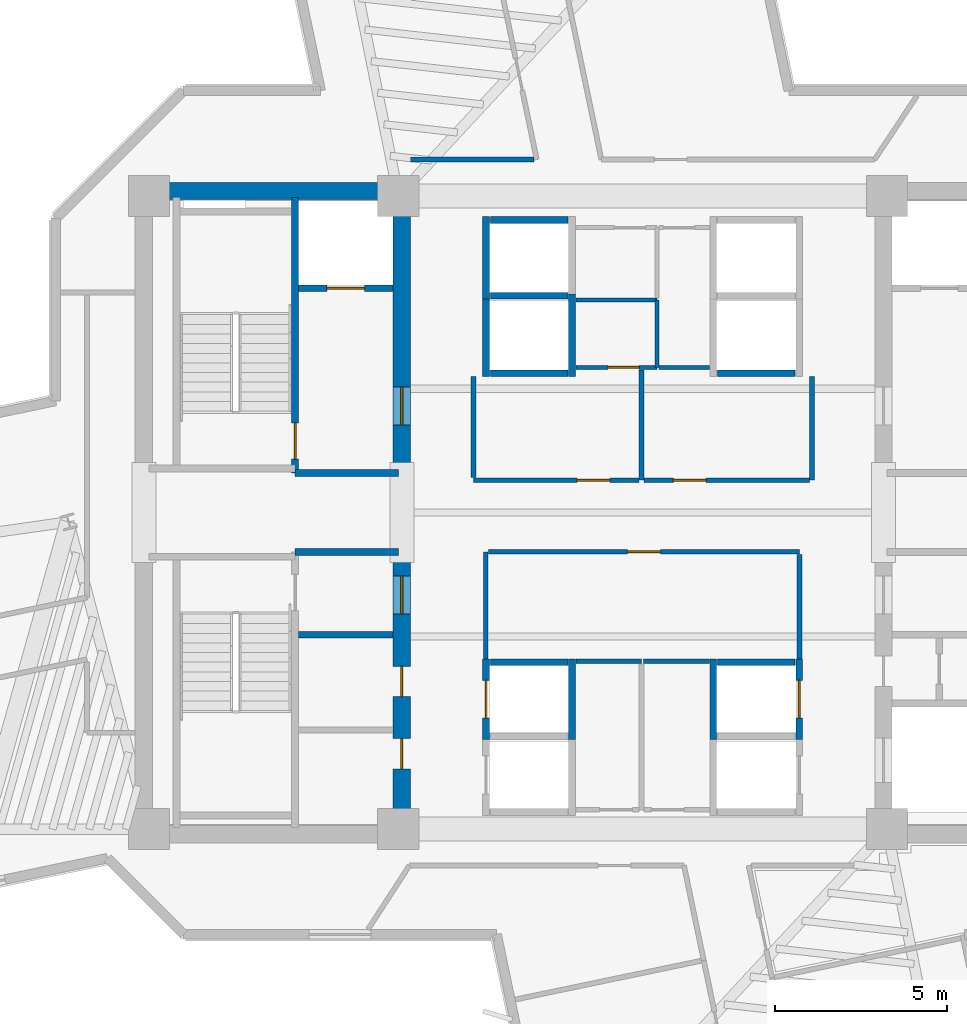
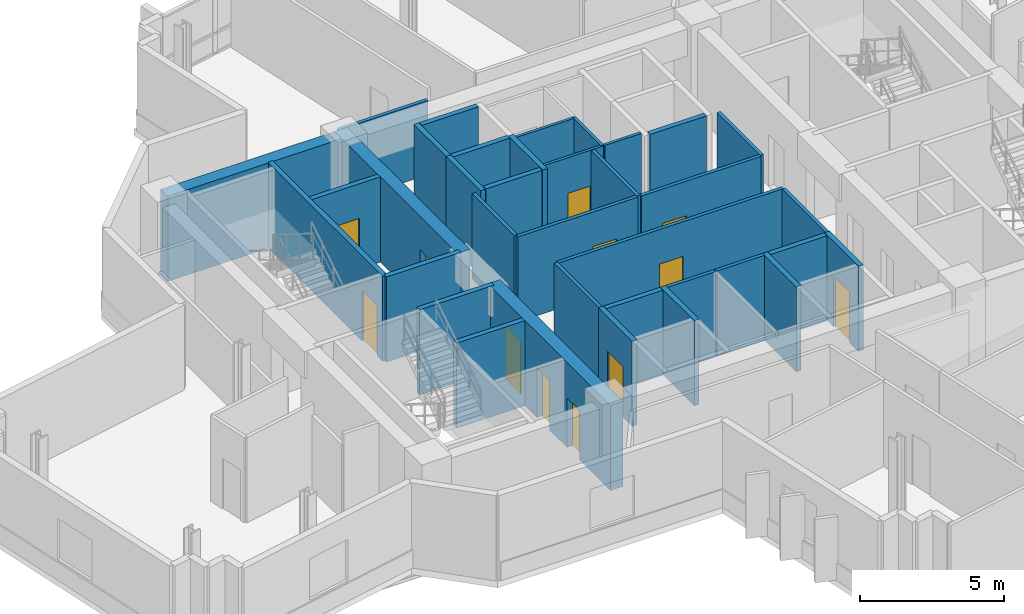
# One storey, part 8 of 14: 36 walls, 12 doors, 12 openings.
"""IFC4 building model written with IfcOpenShell, lengths in metres."""

from ifc_helpers import new_model, si_unit, direction, frame, frame_2d, origin, place, context, subcontext, project, spatial, rectangle, extrude, source, transform, mapped, material, layer, layer_set, type_object, element, fill, save


model = new_model("IFC4")

# Units and contexts
model_context = context("Model", 3, precision=1e-05, world=origin(), true_north=direction((0.0, 1.0)))
body_context = subcontext(model_context, "Body", "Model", "MODEL_VIEW")
ifc_project = project(units=[si_unit("LENGTHUNIT", "METRE"), si_unit("AREAUNIT", "SQUARE_METRE"), si_unit("VOLUMEUNIT", "CUBIC_METRE"), si_unit("PLANEANGLEUNIT", "RADIAN"), si_unit("MASSUNIT", "GRAM", prefix="KILO")], contexts=[model_context])

# Site, building, storey
site_placement = place(None, origin())
site = spatial("IfcSite", under=ifc_project, at=site_placement, CompositionType="ELEMENT")
building_placement = place(site_placement, origin())
building = spatial("IfcBuilding", under=site, at=building_placement, Name="Zahravan Cultural Tower", CompositionType="ELEMENT")
storey_placement = place(building_placement, frame((0.0, 0.0, 166.800048828125)))
storey = spatial("IfcBuildingStorey", under=building, at=storey_placement, Name="L38", CompositionType="ELEMENT", Elevation=166.800048828125)

# Wall, openings, doors
ifc_material_1 = material(Name="Concrete C60/75", Category="concrete")
ifc_layer_1 = layer(ifc_material_1, 0.5)
ifc_layer_set_1 = layer_set([ifc_layer_1], Name="Concrete C60/75")
wall_type_1 = type_object("IfcWallType", Name="CW-SHEAR-500-C60", PredefinedType="SHEAR", material=ifc_layer_set_1)
wall_1_placement = place(storey_placement, frame((29.0, 17.39990234375, 0.0), z_axis=(0.0, 0.0, 1.0), x_axis=(0.0, 1.0, 0.0)))
wall_1 = element("IfcWall", 1, at=wall_1_placement, inside=storey, type_object=wall_type_1, Name="L38 Core Shear Wall CW-W-ES-L38", PredefinedType="SHEAR", context=body_context, shape_type="SweptSolid", body=[
    extrude(rectangle(XDim=8.550048828125, YDim=0.5, at=frame_2d((4.27490234375, 0.0))), origin(), (0.0, 0.0, 1.0), 3.619873046875),
])
opening_1_placement = place(wall_1_placement, frame((6.64990234375, 0.0, 0.0)))
opening_1 = element("IfcOpeningElement", 2, at=opening_1_placement, cuts=wall_1, Name="Opening D-L38-07", PredefinedType="OPENING", context=body_context, shape_type="SweptSolid", body=[
    extrude(rectangle(XDim=1.10009765625, YDim=2.199951171875, at=frame_2d((0.550048828125, 1.10009765625))), frame((0.0, 0.260009765625, 0.0), z_axis=(0.0, -1.0, 0.0), x_axis=(1.0, 0.0, 0.0)), (0.0, 0.0, 1.0), 0.52001953125),
])
opening_2_placement = place(wall_1_placement, frame((2.14990234375, 0.0, 0.0)))
opening_2 = element("IfcOpeningElement", 3, at=opening_2_placement, cuts=wall_1, Name="Opening D-L38-09", PredefinedType="OPENING", context=body_context, shape_type="SweptSolid", body=[
    extrude(rectangle(XDim=0.8798828125, YDim=2.10009765625, at=frame_2d((0.43994140625, 1.050048828125))), frame((0.0, 0.260009765625, 0.0), z_axis=(0.0, -1.0, 0.0), x_axis=(1.0, 0.0, 0.0)), (0.0, 0.0, 1.0), 0.52001953125),
])
opening_3_placement = place(wall_1_placement, frame((4.25, 0.0, 0.0)))
opening_3 = element("IfcOpeningElement", 4, at=opening_3_placement, cuts=wall_1, Name="Opening D-L38-10", PredefinedType="OPENING", context=body_context, shape_type="SweptSolid", body=[
    extrude(rectangle(XDim=0.8798828125, YDim=2.10009765625, at=frame_2d((0.43994140625, 1.050048828125))), frame((0.0, 0.260009765625, 0.0), z_axis=(0.0, -1.0, 0.0), x_axis=(1.0, 0.0, 0.0)), (0.0, 0.0, 1.0), 0.52001953125),
])
ifc_material_2 = material(Name="Steel ASTM A572 Grade 50", Category="steel")
door_type_1 = type_object("IfcDoorType", Name="DR-LOBBY-1100", OperationType="NOTDEFINED", PredefinedType="DOOR", material=ifc_material_2)
shared_shape_1 = source(origin(), body_context, "Body", "SweptSolid", [
    extrude(rectangle(XDim=1.10009765625, YDim=2.199951171875, at=frame_2d((0.550048828125, 1.10009765625))), frame((0.0, 0.02490234375, 0.0), z_axis=(0.0, -1.0, 0.0), x_axis=(1.0, 0.0, 0.0)), (0.0, 0.0, 1.0), 0.050048828125),
])
door_1_placement = place(opening_1_placement, origin())
door_1 = element("IfcDoor", 5, at=door_1_placement, inside=storey, type_object=door_type_1, Name="L38 Door D-L38-07", OperationType="SINGLE_SWING_RIGHT", OverallHeight=2.199951171875, OverallWidth=1.10009765625, PredefinedType="DOOR", context=body_context, shape_type="MappedRepresentation", body=[
    mapped(shared_shape_1, transform((0.0, 0.0, 0.0), x_axis=(1.0, 0.0, 0.0), y_axis=(0.0, 1.0, 0.0), z_axis=(0.0, 0.0, 1.0), scale=1.0)),
])
fill(opening_1, door_1)
door_type_2 = type_object("IfcDoorType", Name="DR-SVC-880", OperationType="NOTDEFINED", PredefinedType="DOOR", material=ifc_material_2)
shared_shape_2 = source(origin(), body_context, "Body", "SweptSolid", [
    extrude(rectangle(XDim=0.8798828125, YDim=2.10009765625, at=frame_2d((0.43994140625, 1.050048828125))), frame((0.0, 0.02490234375, 0.0), z_axis=(0.0, -1.0, 0.0), x_axis=(1.0, 0.0, 0.0)), (0.0, 0.0, 1.0), 0.050048828125),
])
door_2_placement = place(opening_2_placement, origin())
door_2 = element("IfcDoor", 6, at=door_2_placement, inside=storey, type_object=door_type_2, Name="L38 Door D-L38-09", OperationType="SINGLE_SWING_RIGHT", OverallHeight=2.10009765625, OverallWidth=0.8798828125, PredefinedType="DOOR", context=body_context, shape_type="MappedRepresentation", body=[
    mapped(shared_shape_2, transform((0.0, 0.0, 0.0), x_axis=(1.0, 0.0, 0.0), y_axis=(0.0, 1.0, 0.0), z_axis=(0.0, 0.0, 1.0), scale=1.0)),
])
fill(opening_2, door_2)
door_3_placement = place(opening_3_placement, origin())
door_3 = element("IfcDoor", 7, at=door_3_placement, inside=storey, type_object=door_type_2, Name="L38 Door D-L38-10", OperationType="SINGLE_SWING_LEFT", OverallHeight=2.10009765625, OverallWidth=0.8798828125, PredefinedType="DOOR", context=body_context, shape_type="MappedRepresentation", body=[
    mapped(shared_shape_2, transform((0.0, 0.0, 0.0), x_axis=(1.0, 0.0, 0.0), y_axis=(0.0, 1.0, 0.0), z_axis=(0.0, 0.0, 1.0), scale=1.0)),
])
fill(opening_3, door_3)

# Wall, opening, door
wall_2_placement = place(storey_placement, frame((29.0, 28.050048828125, 0.0), z_axis=(0.0, 0.0, 1.0), x_axis=(0.0, 1.0, 0.0)))
wall_2 = element("IfcWall", 8, at=wall_2_placement, inside=storey, type_object=wall_type_1, Name="L38 Core Shear Wall CW-W-EN-L38", PredefinedType="SHEAR", context=body_context, shape_type="SweptSolid", body=[
    extrude(rectangle(XDim=8.550048828125, YDim=0.5, at=frame_2d((4.27490234375, 0.0))), origin(), (0.0, 0.0, 1.0), 3.619873046875),
])
opening_4_placement = place(wall_2_placement, frame((1.5, 0.0, 0.0)))
opening_4 = element("IfcOpeningElement", 9, at=opening_4_placement, cuts=wall_2, Name="Opening D-L38-05", PredefinedType="OPENING", context=body_context, shape_type="SweptSolid", body=[
    extrude(rectangle(XDim=1.10009765625, YDim=2.199951171875, at=frame_2d((0.550048828125, 1.10009765625))), frame((0.0, 0.260009765625, 0.0), z_axis=(0.0, -1.0, 0.0), x_axis=(1.0, 0.0, 0.0)), (0.0, 0.0, 1.0), 0.52001953125),
])
door_4_placement = place(opening_4_placement, origin())
door_4 = element("IfcDoor", 10, at=door_4_placement, inside=storey, type_object=door_type_1, Name="L38 Door D-L38-05", OperationType="SINGLE_SWING_RIGHT", OverallHeight=2.199951171875, OverallWidth=1.10009765625, PredefinedType="DOOR", context=body_context, shape_type="MappedRepresentation", body=[
    mapped(shared_shape_1, transform((0.0, 0.0, 0.0), x_axis=(1.0, 0.0, 0.0), y_axis=(0.0, 1.0, 0.0), z_axis=(0.0, 0.0, 1.0), scale=1.0)),
])
fill(opening_4, door_4)

ifc_material_3 = material(Name="Gypsum plasterboard partition")
ifc_layer_2 = layer(ifc_material_3, 0.139892578125)
ifc_layer_set_2 = layer_set([ifc_layer_2], Name="Gypsum plasterboard partition")
wall_type_2 = type_object("IfcWallType", Name="W-PART-140", PredefinedType="PARTITIONING", material=ifc_layer_set_2)
wall_3_placement = place(storey_placement, frame((35.89501953125, 27.93994140625, 0.0), z_axis=(0.0, 0.0, 1.0), x_axis=(-1.0, 0.0, 0.0)))
wall_3 = element("IfcWall", 11, at=wall_3_placement, inside=storey, type_object=wall_type_2, Name="L38 Interior Wall 069", PredefinedType="PARTITIONING", context=body_context, shape_type="SweptSolid", body=[
    extrude(rectangle(XDim=4.81494140625, YDim=0.139892578125, at=frame_2d((2.407470703125, 0.0))), origin(), (0.0, 0.0, 1.0), 3.619873046875),
])
opening_5_placement = place(wall_3_placement, frame((0.850341796875, 0.0, 0.0)))
opening_5 = element("IfcOpeningElement", 12, at=opening_5_placement, cuts=wall_3, Name="Opening D-L38-16", PredefinedType="OPENING", context=body_context, shape_type="SweptSolid", body=[
    extrude(rectangle(XDim=0.949951171875, YDim=2.14990234375, at=frame_2d((0.47509765625, 1.074951171875))), frame((0.0, 0.079833984375, 0.0), z_axis=(0.0, -1.0, 0.0), x_axis=(1.0, 0.0, 0.0)), (0.0, 0.0, 1.0), 0.159912109375),
])
ifc_material_4 = material(Name="Anodised bronze-aluminium mullion", Category="aluminium")
door_type_3 = type_object("IfcDoorType", Name="DR-ROOM-950", OperationType="NOTDEFINED", PredefinedType="DOOR", material=ifc_material_4)
shared_shape_3 = source(origin(), body_context, "Body", "SweptSolid", [
    extrude(rectangle(XDim=0.949951171875, YDim=2.14990234375, at=frame_2d((0.47509765625, 1.074951171875))), frame((0.0, 0.02490234375, 0.0), z_axis=(0.0, -1.0, 0.0), x_axis=(1.0, 0.0, 0.0)), (0.0, 0.0, 1.0), 0.050048828125),
])
door_5_placement = place(opening_5_placement, origin())
door_5 = element("IfcDoor", 13, at=door_5_placement, inside=storey, type_object=door_type_3, Name="L38 Door D-L38-16", OperationType="SINGLE_SWING_LEFT", OverallHeight=2.14990234375, OverallWidth=0.949951171875, PredefinedType="DOOR", context=body_context, shape_type="MappedRepresentation", body=[
    mapped(shared_shape_3, transform((0.0, 0.0, 0.0), x_axis=(1.0, 0.0, 0.0), y_axis=(0.0, 1.0, 0.0), z_axis=(0.0, 0.0, 1.0), scale=1.0)),
])
fill(opening_5, door_5)

wall_4_placement = place(storey_placement, frame((40.844970703125, 27.93994140625, 0.0), z_axis=(0.0, 0.0, 1.0), x_axis=(-1.0, 0.0, 0.0)))
wall_4 = element("IfcWall", 14, at=wall_4_placement, inside=storey, type_object=wall_type_2, Name="L38 Interior Wall 072", PredefinedType="PARTITIONING", context=body_context, shape_type="SweptSolid", body=[
    extrude(rectangle(XDim=4.800048828125, YDim=0.139892578125, at=frame_2d((2.39990234375, 0.0))), origin(), (0.0, 0.0, 1.0), 3.619873046875),
])
opening_6_placement = place(wall_4_placement, frame((3.0029296875, 0.0, 0.0)))
opening_6 = element("IfcOpeningElement", 15, at=opening_6_placement, cuts=wall_4, Name="Opening D-L38-17", PredefinedType="OPENING", context=body_context, shape_type="SweptSolid", body=[
    extrude(rectangle(XDim=0.949951171875, YDim=2.14990234375, at=frame_2d((0.47509765625, 1.074951171875))), frame((0.0, 0.079833984375, 0.0), z_axis=(0.0, -1.0, 0.0), x_axis=(1.0, 0.0, 0.0)), (0.0, 0.0, 1.0), 0.159912109375),
])
door_6_placement = place(opening_6_placement, origin())
door_6 = element("IfcDoor", 16, at=door_6_placement, inside=storey, type_object=door_type_3, Name="L38 Door D-L38-17", OperationType="SINGLE_SWING_RIGHT", OverallHeight=2.14990234375, OverallWidth=0.949951171875, PredefinedType="DOOR", context=body_context, shape_type="MappedRepresentation", body=[
    mapped(shared_shape_3, transform((0.0, 0.0, 0.0), x_axis=(1.0, 0.0, 0.0), y_axis=(0.0, 1.0, 0.0), z_axis=(0.0, 0.0, 1.0), scale=1.0)),
])
fill(opening_6, door_6)

wall_5_placement = place(storey_placement, frame((31.514892578125, 25.860107421875, 0.0), z_axis=(0.0, 0.0, 1.0), x_axis=(1.0, 0.0, 0.0)))
wall_5 = element("IfcWall", 17, at=wall_5_placement, inside=storey, type_object=wall_type_2, Name="L38 Interior Wall 078", PredefinedType="PARTITIONING", context=body_context, shape_type="SweptSolid", body=[
    extrude(rectangle(XDim=9.045166015625, YDim=0.139892578125, at=frame_2d((4.5224609375, 0.0))), origin(), (0.0, 0.0, 1.0), 3.619873046875),
])
opening_7_placement = place(wall_5_placement, frame((4.047607421875, 0.0, 0.0)))
opening_7 = element("IfcOpeningElement", 18, at=opening_7_placement, cuts=wall_5, Name="Opening D-L38-13", PredefinedType="OPENING", context=body_context, shape_type="SweptSolid", body=[
    extrude(rectangle(XDim=0.949951171875, YDim=2.14990234375, at=frame_2d((0.47509765625, 1.074951171875))), frame((0.0, 0.079833984375, 0.0), z_axis=(0.0, -1.0, 0.0), x_axis=(1.0, 0.0, 0.0)), (0.0, 0.0, 1.0), 0.159912109375),
])
door_7_placement = place(opening_7_placement, origin())
door_7 = element("IfcDoor", 19, at=door_7_placement, inside=storey, type_object=door_type_3, Name="L38 Door D-L38-13", OperationType="SINGLE_SWING_RIGHT", OverallHeight=2.14990234375, OverallWidth=0.949951171875, PredefinedType="DOOR", context=body_context, shape_type="MappedRepresentation", body=[
    mapped(shared_shape_3, transform((0.0, 0.0, 0.0), x_axis=(1.0, 0.0, 0.0), y_axis=(0.0, 1.0, 0.0), z_axis=(0.0, 0.0, 1.0), scale=1.0)),
])
fill(opening_7, door_7)

ifc_material_5 = material(Name="Concrete C45/55", Category="concrete")
ifc_layer_3 = layer(ifc_material_5, 0.199951171875)
ifc_layer_set_3 = layer_set([ifc_layer_3], Name="Concrete C45/55")
wall_type_3 = type_object("IfcWallType", Name="W-SHAFT-200", PredefinedType="SOLIDWALL", material=ifc_layer_set_3)
wall_6_placement = place(storey_placement, frame((25.89990234375, 28.14990234375, 0.0), z_axis=(0.0, 0.0, 1.0), x_axis=(0.0, 1.0, 0.0)))
wall_6 = element("IfcWall", 20, at=wall_6_placement, inside=storey, type_object=wall_type_3, Name="L38 Interior Wall 006", PredefinedType="SOLIDWALL", context=body_context, shape_type="SweptSolid", body=[
    extrude(rectangle(XDim=8.0, YDim=0.199951171875, at=frame_2d((4.0, 0.0))), origin(), (0.0, 0.0, 1.0), 3.619873046875),
])
opening_8_placement = place(wall_6_placement, frame((0.39990234375, 0.0, 0.0)))
opening_8 = element("IfcOpeningElement", 21, at=opening_8_placement, cuts=wall_6, Name="Opening D-L38-01", PredefinedType="OPENING", context=body_context, shape_type="SweptSolid", body=[
    extrude(rectangle(XDim=1.050048828125, YDim=2.14990234375, at=frame_2d((0.52490234375, 1.074951171875))), frame((0.0, 0.10986328125, 0.0), z_axis=(0.0, -1.0, 0.0), x_axis=(1.0, 0.0, 0.0)), (0.0, 0.0, 1.0), 0.219970703125),
])
door_type_4 = type_object("IfcDoorType", Name="DR-STAIR-1050", OperationType="NOTDEFINED", PredefinedType="DOOR", material=ifc_material_2)
shared_shape_4 = source(origin(), body_context, "Body", "SweptSolid", [
    extrude(rectangle(XDim=1.050048828125, YDim=2.14990234375, at=frame_2d((0.52490234375, 1.074951171875))), frame((0.0, 0.02490234375, 0.0), z_axis=(0.0, -1.0, 0.0), x_axis=(1.0, 0.0, 0.0)), (0.0, 0.0, 1.0), 0.050048828125),
])
door_8_placement = place(opening_8_placement, origin())
door_8 = element("IfcDoor", 22, at=door_8_placement, inside=storey, type_object=door_type_4, Name="L38 Door D-L38-01", OperationType="SINGLE_SWING_RIGHT", OverallHeight=2.14990234375, OverallWidth=1.050048828125, PredefinedType="DOOR", context=body_context, shape_type="MappedRepresentation", body=[
    mapped(shared_shape_4, transform((0.0, 0.0, 0.0), x_axis=(1.0, 0.0, 0.0), y_axis=(0.0, 1.0, 0.0), z_axis=(0.0, 0.0, 1.0), scale=1.0)),
])
fill(opening_8, door_8)

wall_7_placement = place(storey_placement, frame((26.0, 33.52001953125, 0.0), z_axis=(0.0, 0.0, 1.0), x_axis=(1.0, 0.0, 0.0)))
wall_7 = element("IfcWall", 23, at=wall_7_placement, inside=storey, type_object=wall_type_3, Name="L38 Interior Wall 021", PredefinedType="SOLIDWALL", context=body_context, shape_type="SweptSolid", body=[
    extrude(rectangle(XDim=2.75, YDim=0.199951171875, at=frame_2d((1.375, 0.0))), origin(), (0.0, 0.0, 1.0), 3.619873046875),
])
opening_9_placement = place(wall_7_placement, frame((0.820068359375, 0.0, 0.0)))
opening_9 = element("IfcOpeningElement", 24, at=opening_9_placement, cuts=wall_7, Name="Opening LD-L38-01", PredefinedType="OPENING", context=body_context, shape_type="SweptSolid", body=[
    extrude(rectangle(XDim=1.10009765625, YDim=2.14990234375, at=frame_2d((0.550048828125, 1.074951171875))), frame((0.0, 0.10986328125, 0.0), z_axis=(0.0, -1.0, 0.0), x_axis=(1.0, 0.0, 0.0)), (0.0, 0.0, 1.0), 0.219970703125),
])
door_type_5 = type_object("IfcDoorType", Name="DR-LIFT-1100", OperationType="DOUBLE_DOOR_SLIDING", PredefinedType="DOOR", material=ifc_material_2)
shared_shape_5 = source(origin(), body_context, "Body", "SweptSolid", [
    extrude(rectangle(XDim=1.10009765625, YDim=2.14990234375, at=frame_2d((0.550048828125, 1.074951171875))), frame((0.0, 0.02490234375, 0.0), z_axis=(0.0, -1.0, 0.0), x_axis=(1.0, 0.0, 0.0)), (0.0, 0.0, 1.0), 0.050048828125),
])
door_9_placement = place(opening_9_placement, origin())
door_9 = element("IfcDoor", 25, at=door_9_placement, inside=storey, type_object=door_type_5, Name="L38 Door LD-L38-01", OperationType="DOUBLE_DOOR_SLIDING", OverallHeight=2.14990234375, OverallWidth=1.10009765625, PredefinedType="DOOR", context=body_context, shape_type="MappedRepresentation", body=[
    mapped(shared_shape_5, transform((0.0, 0.0, 0.0), x_axis=(1.0, 0.0, 0.0), y_axis=(0.0, 1.0, 0.0), z_axis=(0.0, 0.0, 1.0), scale=1.0)),
])
fill(opening_9, door_9)

wall_8_placement = place(storey_placement, frame((31.449951171875, 20.39990234375, 0.0), z_axis=(0.0, 0.0, 1.0), x_axis=(0.0, 1.0, 0.0)))
wall_8 = element("IfcWall", 26, at=wall_8_placement, inside=storey, type_object=wall_type_3, Name="L38 Interior Wall 042", PredefinedType="SOLIDWALL", context=body_context, shape_type="SweptSolid", body=[
    extrude(rectangle(XDim=2.35009765625, YDim=0.199951171875, at=frame_2d((1.175048828125, 0.0))), origin(), (0.0, 0.0, 1.0), 3.619873046875),
])
opening_10_placement = place(wall_8_placement, frame((0.625, 0.0, 0.0)))
opening_10 = element("IfcOpeningElement", 27, at=opening_10_placement, cuts=wall_8, Name="Opening LD-L38-04", PredefinedType="OPENING", context=body_context, shape_type="SweptSolid", body=[
    extrude(rectangle(XDim=1.10009765625, YDim=2.14990234375, at=frame_2d((0.550048828125, 1.074951171875))), frame((0.0, 0.10986328125, 0.0), z_axis=(0.0, -1.0, 0.0), x_axis=(1.0, 0.0, 0.0)), (0.0, 0.0, 1.0), 0.219970703125),
])
door_10_placement = place(opening_10_placement, origin())
door_10 = element("IfcDoor", 28, at=door_10_placement, inside=storey, type_object=door_type_5, Name="L38 Door LD-L38-04", OperationType="DOUBLE_DOOR_SLIDING", OverallHeight=2.14990234375, OverallWidth=1.10009765625, PredefinedType="DOOR", context=body_context, shape_type="MappedRepresentation", body=[
    mapped(shared_shape_5, transform((0.0, 0.0, 0.0), x_axis=(1.0, 0.0, 0.0), y_axis=(0.0, 1.0, 0.0), z_axis=(0.0, 0.0, 1.0), scale=1.0)),
])
fill(opening_10, door_10)

wall_9_placement = place(storey_placement, frame((40.550048828125, 20.39990234375, 0.0), z_axis=(0.0, 0.0, 1.0), x_axis=(0.0, 1.0, 0.0)))
wall_9 = element("IfcWall", 29, at=wall_9_placement, inside=storey, type_object=wall_type_3, Name="L38 Interior Wall 050", PredefinedType="SOLIDWALL", context=body_context, shape_type="SweptSolid", body=[
    extrude(rectangle(XDim=2.35009765625, YDim=0.199951171875, at=frame_2d((1.175048828125, 0.0))), origin(), (0.0, 0.0, 1.0), 3.619873046875),
])
opening_11_placement = place(wall_9_placement, frame((0.625, 0.0, 0.0)))
opening_11 = element("IfcOpeningElement", 30, at=opening_11_placement, cuts=wall_9, Name="Opening LD-L38-06", PredefinedType="OPENING", context=body_context, shape_type="SweptSolid", body=[
    extrude(rectangle(XDim=1.10009765625, YDim=2.14990234375, at=frame_2d((0.550048828125, 1.074951171875))), frame((0.0, 0.10986328125, 0.0), z_axis=(0.0, -1.0, 0.0), x_axis=(1.0, 0.0, 0.0)), (0.0, 0.0, 1.0), 0.219970703125),
])
door_11_placement = place(opening_11_placement, origin())
door_11 = element("IfcDoor", 31, at=door_11_placement, inside=storey, type_object=door_type_5, Name="L38 Door LD-L38-06", OperationType="DOUBLE_DOOR_SLIDING", OverallHeight=2.14990234375, OverallWidth=1.10009765625, PredefinedType="DOOR", context=body_context, shape_type="MappedRepresentation", body=[
    mapped(shared_shape_5, transform((0.0, 0.0, 0.0), x_axis=(1.0, 0.0, 0.0), y_axis=(0.0, 1.0, 0.0), z_axis=(0.0, 0.0, 1.0), scale=1.0)),
])
fill(opening_11, door_11)

ifc_layer_4 = layer(ifc_material_3, 0.114990234375)
ifc_layer_set_4 = layer_set([ifc_layer_4], Name="Gypsum plasterboard partition")
wall_type_4 = type_object("IfcWallType", Name="W-WC-115", PredefinedType="PARTITIONING", material=ifc_layer_set_4)
wall_10_placement = place(storey_placement, frame((36.409912109375, 31.219970703125, 0.0), z_axis=(0.0, 0.0, 1.0), x_axis=(-1.0, 0.0, 0.0)))
wall_10 = element("IfcWall", 32, at=wall_10_placement, inside=storey, type_object=wall_type_4, Name="L38 Interior Wall 056", PredefinedType="PARTITIONING", context=body_context, shape_type="SweptSolid", body=[
    extrude(rectangle(XDim=2.35498046875, YDim=0.114990234375, at=frame_2d((1.177490234375, 0.0))), origin(), (0.0, 0.0, 1.0), 3.619873046875),
])
opening_12_placement = place(wall_10_placement, frame((0.5166015625, 0.0, 0.0)))
opening_12 = element("IfcOpeningElement", 33, at=opening_12_placement, cuts=wall_10, Name="Opening D-L38-29", PredefinedType="OPENING", context=body_context, shape_type="SweptSolid", body=[
    extrude(rectangle(XDim=0.89990234375, YDim=2.10009765625, at=frame_2d((0.449951171875, 1.050048828125))), frame((0.0, 0.0673828125, 0.0), z_axis=(0.0, -1.0, 0.0), x_axis=(1.0, 0.0, 0.0)), (0.0, 0.0, 1.0), 0.135009765625),
])
door_type_6 = type_object("IfcDoorType", Name="DR-WC-900", OperationType="NOTDEFINED", PredefinedType="DOOR", material=ifc_material_4)
shared_shape_6 = source(origin(), body_context, "Body", "SweptSolid", [
    extrude(rectangle(XDim=0.89990234375, YDim=2.10009765625, at=frame_2d((0.449951171875, 1.050048828125))), frame((0.0, 0.02490234375, 0.0), z_axis=(0.0, -1.0, 0.0), x_axis=(1.0, 0.0, 0.0)), (0.0, 0.0, 1.0), 0.050048828125),
])
door_12_placement = place(opening_12_placement, origin())
door_12 = element("IfcDoor", 34, at=door_12_placement, inside=storey, type_object=door_type_6, Name="L38 Door D-L38-29", OperationType="SINGLE_SWING_RIGHT", OverallHeight=2.10009765625, OverallWidth=0.89990234375, PredefinedType="DOOR", context=body_context, shape_type="MappedRepresentation", body=[
    mapped(shared_shape_6, transform((0.0, 0.0, 0.0), x_axis=(1.0, 0.0, 0.0), y_axis=(0.0, 1.0, 0.0), z_axis=(0.0, 0.0, 1.0), scale=1.0)),
])
fill(opening_12, door_12)

# Walls
shared_shape_7 = source(origin(), body_context, "Body", "SweptSolid", [
    extrude(rectangle(XDim=7.0, YDim=0.5, at=frame_2d((3.5, 0.0))), origin(), (0.0, 0.0, 1.0), 3.619873046875),
])
wall_11_placement = place(storey_placement, frame((21.75, 36.35009765625, 0.0), z_axis=(0.0, 0.0, 1.0), x_axis=(1.0, 0.0, 0.0)))
element("IfcWall", 35, at=wall_11_placement, inside=storey, type_object=wall_type_1, Name="L38 Core Shear Wall CW-W-N-L38", PredefinedType="SHEAR", context=body_context, shape_type="MappedRepresentation", body=[
    mapped(shared_shape_7, transform((0.0, 0.0, 0.0), x_axis=(1.0, 0.0, 0.0), y_axis=(0.0, 1.0, 0.0), z_axis=(0.0, 0.0, 1.0), scale=1.0)),
])
shared_shape_8 = source(origin(), body_context, "Body", "SweptSolid", [
    extrude(rectangle(XDim=3.0, YDim=0.199951171875, at=frame_2d((1.5, 0.0))), origin(), (0.0, 0.0, 1.0), 3.619873046875),
])
for number, where, z_axis, x_axis, name in (
    (36, (25.89990234375, 25.85009765625, 0.0), (0.0, 0.0, 1.0), (1.0, 0.0, 0.0), "L38 Interior Wall 010"),
    (37, (25.89990234375, 28.14990234375, 0.0), (0.0, 0.0, 1.0), (1.0, 0.0, 0.0), "L38 Interior Wall 012"),
):
    element("IfcWall", number, at=place(storey_placement, frame(where, z_axis=z_axis, x_axis=x_axis)), inside=storey, type_object=wall_type_3, Name=name, PredefinedType="SOLIDWALL", context=body_context, shape_type="MappedRepresentation", body=[
        mapped(shared_shape_8, transform((0.0, 0.0, 0.0), x_axis=(1.0, 0.0, 0.0), y_axis=(0.0, 1.0, 0.0), z_axis=(0.0, 0.0, 1.0), scale=1.0)),
    ])
shared_shape_9 = source(origin(), body_context, "Body", "SweptSolid", [
    extrude(rectangle(XDim=2.75, YDim=0.199951171875, at=frame_2d((1.375, 0.0))), origin(), (0.0, 0.0, 1.0), 3.619873046875),
])
wall_12_placement = place(storey_placement, frame((26.0, 23.449951171875, 0.0), z_axis=(0.0, 0.0, 1.0), x_axis=(1.0, 0.0, 0.0)))
element("IfcWall", 38, at=wall_12_placement, inside=storey, type_object=wall_type_3, Name="L38 Interior Wall 023", PredefinedType="SOLIDWALL", context=body_context, shape_type="MappedRepresentation", body=[
    mapped(shared_shape_9, transform((0.0, 0.0, 0.0), x_axis=(1.0, 0.0, 0.0), y_axis=(0.0, 1.0, 0.0), z_axis=(0.0, 0.0, 1.0), scale=1.0)),
])
shared_shape_10 = source(origin(), body_context, "Body", "SweptSolid", [
    extrude(rectangle(XDim=2.400146484375, YDim=0.199951171875, at=frame_2d((1.2001953125, 0.0))), origin(), (0.0, 0.0, 1.0), 3.619873046875),
])
for number, where, z_axis, x_axis, name in (
    (39, (31.449951171875, 33.199951171875, 0.0), (0.0, 0.0, 1.0), (0.0, 1.0, 0.0), "L38 Interior Wall 028"),
    (40, (31.449951171875, 30.949951171875, 0.0), (0.0, 0.0, 1.0), (0.0, 1.0, 0.0), "L38 Interior Wall 032"),
    (41, (33.949951171875, 30.949951171875, 0.0), (0.0, 0.0, 1.0), (0.0, 1.0, 0.0), "L38 Interior Wall 033"),
):
    element("IfcWall", number, at=place(storey_placement, frame(where, z_axis=z_axis, x_axis=x_axis)), inside=storey, type_object=wall_type_3, Name=name, PredefinedType="SOLIDWALL", context=body_context, shape_type="MappedRepresentation", body=[
        mapped(shared_shape_10, transform((0.0, 0.0, 0.0), x_axis=(1.0, 0.0, 0.0), y_axis=(0.0, 1.0, 0.0), z_axis=(0.0, 0.0, 1.0), scale=1.0)),
    ])
shared_shape_11 = source(origin(), body_context, "Body", "SweptSolid", [
    extrude(rectangle(XDim=2.260009765625, YDim=0.199951171875, at=frame_2d((1.1298828125, 0.0))), origin(), (0.0, 0.0, 1.0), 3.619873046875),
])
for number, where, z_axis, x_axis, name in (
    (42, (31.570068359375, 33.300048828125, 0.0), (0.0, 0.0, 1.0), (1.0, 0.0, 0.0), "L38 Interior Wall 030"),
    (43, (31.570068359375, 35.5, 0.0), (0.0, 0.0, 1.0), (1.0, 0.0, 0.0), "L38 Interior Wall 031"),
    (44, (31.570068359375, 31.050048828125, 0.0), (0.0, 0.0, 1.0), (1.0, 0.0, 0.0), "L38 Interior Wall 034"),
    (45, (38.169921875, 31.050048828125, 0.0), (0.0, 0.0, 1.0), (1.0, 0.0, 0.0), "L38 Interior Wall 041"),
    (46, (31.570068359375, 22.64990234375, 0.0), (0.0, 0.0, 1.0), (1.0, 0.0, 0.0), "L38 Interior Wall 045"),
    (47, (38.169921875, 22.64990234375, 0.0), (0.0, 0.0, 1.0), (1.0, 0.0, 0.0), "L38 Interior Wall 052"),
):
    element("IfcWall", number, at=place(storey_placement, frame(where, z_axis=z_axis, x_axis=x_axis)), inside=storey, type_object=wall_type_3, Name=name, PredefinedType="SOLIDWALL", context=body_context, shape_type="MappedRepresentation", body=[
        mapped(shared_shape_11, transform((0.0, 0.0, 0.0), x_axis=(1.0, 0.0, 0.0), y_axis=(0.0, 1.0, 0.0), z_axis=(0.0, 0.0, 1.0), scale=1.0)),
    ])
shared_shape_12 = source(origin(), body_context, "Body", "SweptSolid", [
    extrude(rectangle(XDim=2.35009765625, YDim=0.199951171875, at=frame_2d((1.175048828125, 0.0))), origin(), (0.0, 0.0, 1.0), 3.619873046875),
])
for number, where, z_axis, x_axis, name in (
    (48, (33.949951171875, 20.39990234375, 0.0), (0.0, 0.0, 1.0), (0.0, 1.0, 0.0), "L38 Interior Wall 043"),
    (49, (38.050048828125, 20.39990234375, 0.0), (0.0, 0.0, 1.0), (0.0, 1.0, 0.0), "L38 Interior Wall 049"),
):
    element("IfcWall", number, at=place(storey_placement, frame(where, z_axis=z_axis, x_axis=x_axis)), inside=storey, type_object=wall_type_3, Name=name, PredefinedType="SOLIDWALL", context=body_context, shape_type="MappedRepresentation", body=[
        mapped(shared_shape_12, transform((0.0, 0.0, 0.0), x_axis=(1.0, 0.0, 0.0), y_axis=(0.0, 1.0, 0.0), z_axis=(0.0, 0.0, 1.0), scale=1.0)),
    ])
shared_shape_13 = source(origin(), body_context, "Body", "SweptSolid", [
    extrude(rectangle(XDim=1.9599609375, YDim=0.114990234375, at=frame_2d((0.97998046875, 0.0))), origin(), (0.0, 0.0, 1.0), 3.619873046875),
])
wall_13_placement = place(storey_placement, frame((36.409912109375, 33.179931640625, 0.0), z_axis=(0.0, 0.0, 1.0), x_axis=(0.0, -1.0, 0.0)))
element("IfcWall", 50, at=wall_13_placement, inside=storey, type_object=wall_type_4, Name="L38 Interior Wall 058", PredefinedType="PARTITIONING", context=body_context, shape_type="MappedRepresentation", body=[
    mapped(shared_shape_13, transform((0.0, 0.0, 0.0), x_axis=(1.0, 0.0, 0.0), y_axis=(0.0, 1.0, 0.0), z_axis=(0.0, 0.0, 1.0), scale=1.0)),
])
shared_shape_14 = source(origin(), body_context, "Body", "SweptSolid", [
    extrude(rectangle(XDim=1.47265625, YDim=0.114990234375, at=frame_2d((0.736328125, 0.0))), origin(), (0.0, 0.0, 1.0), 3.619873046875),
])
wall_14_placement = place(storey_placement, frame((37.945068359375, 31.219970703125, 0.0), z_axis=(0.0, 0.0, 1.0), x_axis=(-1.0, 0.0, 0.0)))
element("IfcWall", 51, at=wall_14_placement, inside=storey, type_object=wall_type_4, Name="L38 Interior Wall 061", PredefinedType="PARTITIONING", context=body_context, shape_type="MappedRepresentation", body=[
    mapped(shared_shape_14, transform((0.0, 0.0, 0.0), x_axis=(1.0, 0.0, 0.0), y_axis=(0.0, 1.0, 0.0), z_axis=(0.0, 0.0, 1.0), scale=1.0)),
])
shared_shape_15 = source(origin(), body_context, "Body", "SweptSolid", [
    extrude(rectangle(XDim=2.35498046875, YDim=0.114990234375, at=frame_2d((1.177490234375, 0.0))), origin(), (0.0, 0.0, 1.0), 3.619873046875),
])
wall_15_placement = place(storey_placement, frame((34.054931640625, 33.179931640625, 0.0), z_axis=(0.0, 0.0, 1.0), x_axis=(1.0, 0.0, 0.0)))
element("IfcWall", 52, at=wall_15_placement, inside=storey, type_object=wall_type_4, Name="L38 Interior Wall 057", PredefinedType="PARTITIONING", context=body_context, shape_type="MappedRepresentation", body=[
    mapped(shared_shape_15, transform((0.0, 0.0, 0.0), x_axis=(1.0, 0.0, 0.0), y_axis=(0.0, 1.0, 0.0), z_axis=(0.0, 0.0, 1.0), scale=1.0)),
])
shared_shape_16 = source(origin(), body_context, "Body", "SweptSolid", [
    extrude(rectangle(XDim=1.9150390625, YDim=0.139892578125, at=frame_2d((0.95751953125, 0.0))), origin(), (0.0, 0.0, 1.0), 3.619873046875),
])
for number, where, z_axis, x_axis, name in (
    (53, (34.054931640625, 22.679931640625, 0.0), (0.0, 0.0, 1.0), (1.0, 0.0, 0.0), "L38 Interior Wall 063"),
    (54, (36.030029296875, 22.679931640625, 0.0), (0.0, 0.0, 1.0), (1.0, 0.0, 0.0), "L38 Interior Wall 066"),
):
    element("IfcWall", number, at=place(storey_placement, frame(where, z_axis=z_axis, x_axis=x_axis)), inside=storey, type_object=wall_type_2, Name=name, PredefinedType="PARTITIONING", context=body_context, shape_type="MappedRepresentation", body=[
        mapped(shared_shape_16, transform((0.0, 0.0, 0.0), x_axis=(1.0, 0.0, 0.0), y_axis=(0.0, 1.0, 0.0), z_axis=(0.0, 0.0, 1.0), scale=1.0)),
    ])
shared_shape_17 = source(origin(), body_context, "Body", "SweptSolid", [
    extrude(rectangle(XDim=3.199951171875, YDim=0.139892578125, at=frame_2d((1.60009765625, 0.0))), origin(), (0.0, 0.0, 1.0), 3.619873046875),
])
wall_16_placement = place(storey_placement, frame((35.969970703125, 31.139892578125, 0.0), z_axis=(0.0, 0.0, 1.0), x_axis=(0.0, -1.0, 0.0)))
element("IfcWall", 55, at=wall_16_placement, inside=storey, type_object=wall_type_2, Name="L38 Interior Wall 068", PredefinedType="PARTITIONING", context=body_context, shape_type="MappedRepresentation", body=[
    mapped(shared_shape_17, transform((0.0, 0.0, 0.0), x_axis=(1.0, 0.0, 0.0), y_axis=(0.0, 1.0, 0.0), z_axis=(0.0, 0.0, 1.0), scale=1.0)),
])
shared_shape_18 = source(origin(), body_context, "Body", "SweptSolid", [
    extrude(rectangle(XDim=2.93505859375, YDim=0.139892578125, at=frame_2d((1.467529296875, 0.0))), origin(), (0.0, 0.0, 1.0), 3.619873046875),
])
wall_17_placement = place(storey_placement, frame((31.080078125, 28.014892578125, 0.0), z_axis=(0.0, 0.0, 1.0), x_axis=(0.0, 1.0, 0.0)))
element("IfcWall", 56, at=wall_17_placement, inside=storey, type_object=wall_type_2, Name="L38 Interior Wall 070", PredefinedType="PARTITIONING", context=body_context, shape_type="MappedRepresentation", body=[
    mapped(shared_shape_18, transform((0.0, 0.0, 0.0), x_axis=(1.0, 0.0, 0.0), y_axis=(0.0, 1.0, 0.0), z_axis=(0.0, 0.0, 1.0), scale=1.0)),
])
shared_shape_19 = source(origin(), body_context, "Body", "SweptSolid", [
    extrude(rectangle(XDim=3.010009765625, YDim=0.139892578125, at=frame_2d((1.5048828125, 0.0))), origin(), (0.0, 0.0, 1.0), 3.619873046875),
])
wall_18_placement = place(storey_placement, frame((40.919921875, 30.949951171875, 0.0), z_axis=(0.0, 0.0, 1.0), x_axis=(0.0, -1.0, 0.0)))
element("IfcWall", 57, at=wall_18_placement, inside=storey, type_object=wall_type_2, Name="L38 Interior Wall 071", PredefinedType="PARTITIONING", context=body_context, shape_type="MappedRepresentation", body=[
    mapped(shared_shape_19, transform((0.0, 0.0, 0.0), x_axis=(1.0, 0.0, 0.0), y_axis=(0.0, 1.0, 0.0), z_axis=(0.0, 0.0, 1.0), scale=1.0)),
])
shared_shape_20 = source(origin(), body_context, "Body", "SweptSolid", [
    extrude(rectangle(XDim=3.110107421875, YDim=0.139892578125, at=frame_2d((1.55517578125, 0.0))), origin(), (0.0, 0.0, 1.0), 3.619873046875),
])
wall_19_placement = place(storey_placement, frame((31.43994140625, 22.75, 0.0), z_axis=(0.0, 0.0, 1.0), x_axis=(0.0, 1.0, 0.0)))
element("IfcWall", 58, at=wall_19_placement, inside=storey, type_object=wall_type_2, Name="L38 Interior Wall 077", PredefinedType="PARTITIONING", context=body_context, shape_type="MappedRepresentation", body=[
    mapped(shared_shape_20, transform((0.0, 0.0, 0.0), x_axis=(1.0, 0.0, 0.0), y_axis=(0.0, 1.0, 0.0), z_axis=(0.0, 0.0, 1.0), scale=1.0)),
])
shared_shape_21 = source(origin(), body_context, "Body", "SweptSolid", [
    extrude(rectangle(XDim=3.034912109375, YDim=0.139892578125, at=frame_2d((1.517578125, 0.0))), origin(), (0.0, 0.0, 1.0), 3.619873046875),
])
wall_20_placement = place(storey_placement, frame((40.56005859375, 25.784912109375, 0.0), z_axis=(0.0, 0.0, 1.0), x_axis=(0.0, -1.0, 0.0)))
element("IfcWall", 59, at=wall_20_placement, inside=storey, type_object=wall_type_2, Name="L38 Interior Wall 079", PredefinedType="PARTITIONING", context=body_context, shape_type="MappedRepresentation", body=[
    mapped(shared_shape_21, transform((0.0, 0.0, 0.0), x_axis=(1.0, 0.0, 0.0), y_axis=(0.0, 1.0, 0.0), z_axis=(0.0, 0.0, 1.0), scale=1.0)),
])
shared_shape_22 = source(origin(), body_context, "Body", "SweptSolid", [
    extrude(rectangle(XDim=3.589111328125, YDim=0.139892578125, at=frame_2d((1.79443359375, 0.0))), origin(), (0.0, 0.0, 1.0), 3.14892578125),
])
wall_21_placement = place(storey_placement, frame((32.843994140625, 37.260009765625, 0.0), z_axis=(0.0, 0.0, 1.0), x_axis=(-0.999999942162, -0.000340112898, 0.0)))
element("IfcWall", 60, at=wall_21_placement, inside=storey, type_object=wall_type_2, Name="L38 Interior Wall 092", PredefinedType="PARTITIONING", context=body_context, shape_type="MappedRepresentation", body=[
    mapped(shared_shape_22, transform((0.0, 0.0, 0.0), x_axis=(1.0, 0.0, 0.0), y_axis=(0.0, 1.0, 0.0), z_axis=(0.0, 0.0, 1.0), scale=1.0)),
])

save(model, "model.ifc")
